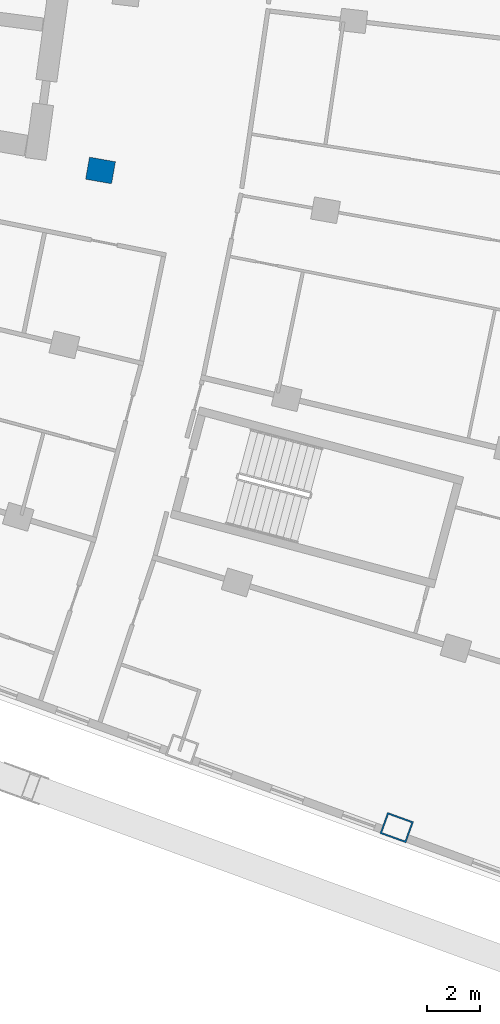
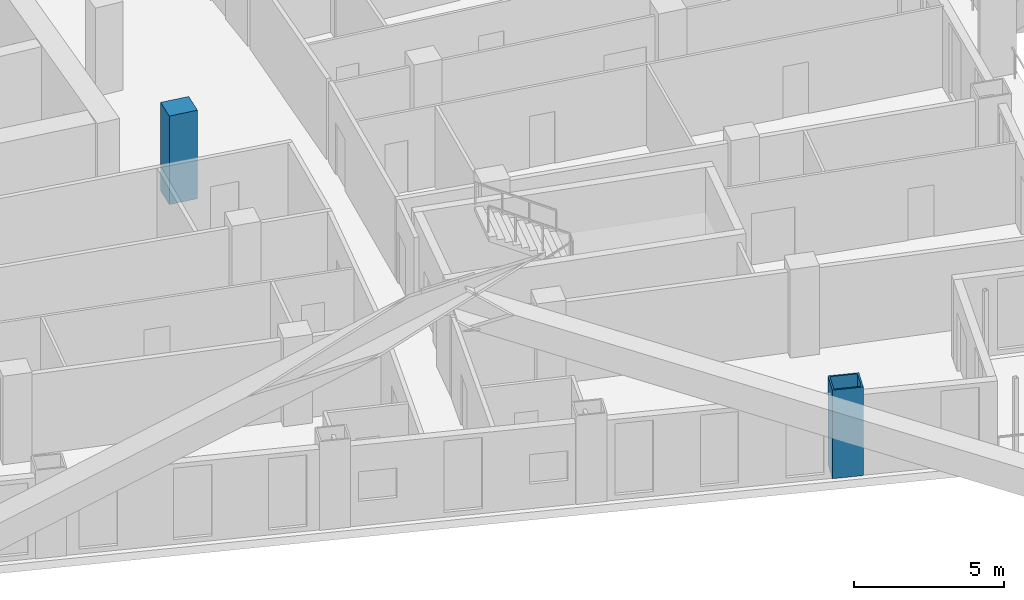
# One storey, part 4 of 26: 2 columns.
"""IFC4 building model written with IfcOpenShell, lengths in metres."""

from ifc_helpers import new_model, si_unit, direction, frame, origin, origin_2d, place, context, subcontext, project, spatial, rectangle, hollow_rectangle, extrude, material, material_profile, profile_set, type_object, element, save


model = new_model("IFC4")

# Units and contexts
model_context = context("Model", 3, precision=1e-05, world=origin(), true_north=direction((0.0, 1.0)))
body_context = subcontext(model_context, "Body", "Model", "MODEL_VIEW")
ifc_project = project(units=[si_unit("LENGTHUNIT", "METRE"), si_unit("AREAUNIT", "SQUARE_METRE"), si_unit("VOLUMEUNIT", "CUBIC_METRE"), si_unit("PLANEANGLEUNIT", "RADIAN"), si_unit("MASSUNIT", "GRAM", prefix="KILO")], contexts=[model_context])

# Site, building, storey
site_placement = place(None, origin())
site = spatial("IfcSite", under=ifc_project, at=site_placement, CompositionType="ELEMENT")
building_placement = place(site_placement, origin())
building = spatial("IfcBuilding", under=site, at=building_placement, Name="Alderwake Tower", CompositionType="ELEMENT")
storey_placement = place(building_placement, frame((0.0, 0.0, 82.39990234375)))
storey = spatial("IfcBuildingStorey", under=building, at=storey_placement, Name="L19", CompositionType="ELEMENT", Elevation=82.39990234375)

# Columns
ifc_material_1 = material(Name="Steel ASTM A572 Grade 50 concrete filled C70/85", Category="concrete")
ifc_material_profile_1 = material_profile(ifc_material_1, hollow_rectangle(XDim=0.85009765625, YDim=1.050048828125, WallThickness=0.06005859375, at=origin_2d()), Name="BOX 1050X850X60")
ifc_profile_set_1 = profile_set([ifc_material_profile_1], Name="Steel ASTM A572 Grade 50 concrete filled C70/85")
column_type_1 = type_object("IfcColumnType", Name="End column Z2", PredefinedType="COLUMN", material=ifc_profile_set_1)
column_1_placement = place(storey_placement, frame((45.266357421875, 15.9130859375, 0.0), z_axis=(0.0, 0.0, 1.0), x_axis=(0.338660738209, 0.940908552621, 0.0)))
element("IfcColumn", 1, at=column_1_placement, inside=storey, type_object=column_type_1, Name="Column R01-C4", PredefinedType="COLUMN", context=body_context, shape_type="SweptSolid", body=[
    extrude(hollow_rectangle(XDim=0.85009765625, YDim=1.050048828125, WallThickness=0.06005859375, at=origin_2d()), origin(), (0.0, 0.0, 1.0), 3.60009765625),
])
ifc_material_2 = material(Name="Concrete C70/85", Category="concrete")
ifc_material_profile_2 = material_profile(ifc_material_2, rectangle(XDim=0.85009765625, YDim=1.0, at=origin_2d()), Name="RC 1000X850")
ifc_profile_set_2 = profile_set([ifc_material_profile_2], Name="Concrete C70/85")
column_type_2 = type_object("IfcColumnType", Name="Interior column Z2", PredefinedType="COLUMN", material=ifc_profile_set_2)
column_2_placement = place(storey_placement, frame((34.03125, 40.83837890625, 0.0), z_axis=(0.0, 0.0, 1.0), x_axis=(0.174108800747, 0.984726421654, 0.0)))
element("IfcColumn", 2, at=column_2_placement, inside=storey, type_object=column_type_2, Name="Column R04-C2", PredefinedType="COLUMN", context=body_context, shape_type="SweptSolid", body=[
    extrude(rectangle(XDim=0.85009765625, YDim=1.0, at=origin_2d()), origin(), (0.0, 0.0, 1.0), 3.60009765625),
])

save(model, "model.ifc")
